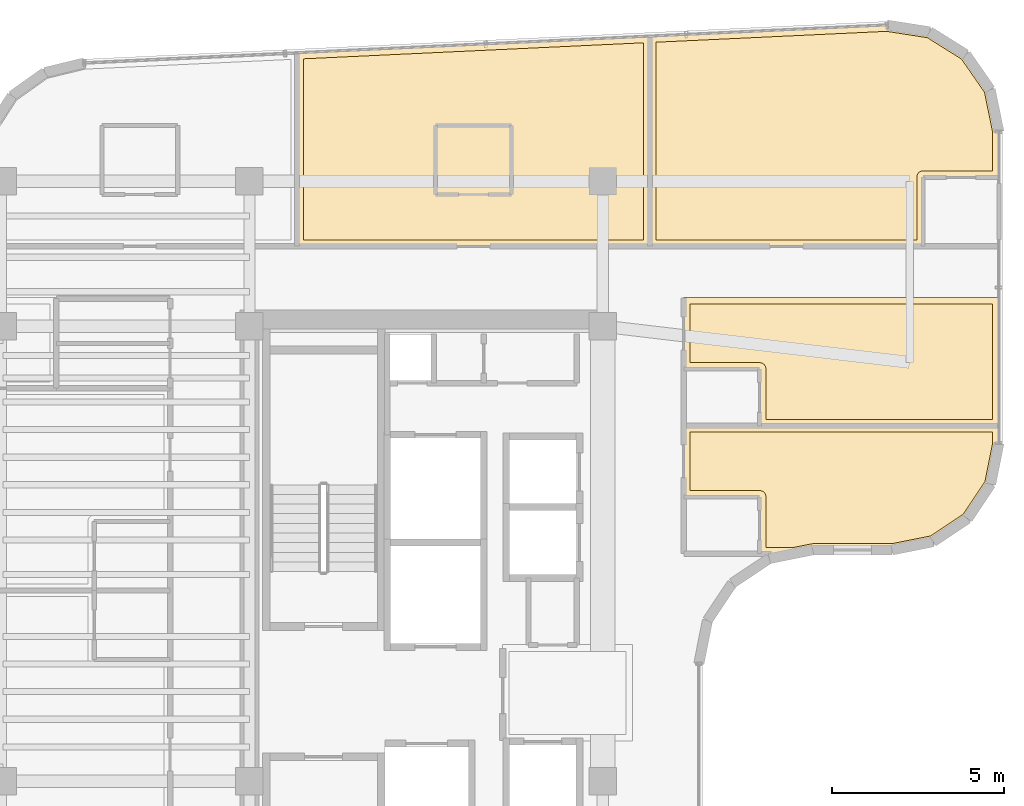
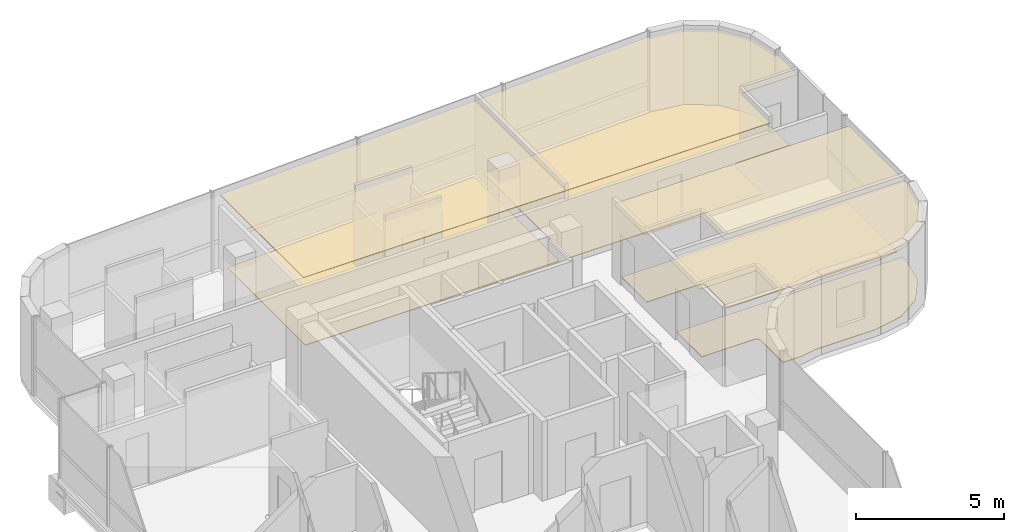
# One storey, part 20 of 20: 8 coverings.
"""IFC4 building model written with IfcOpenShell, lengths in metres."""

from ifc_helpers import new_model, si_unit, direction, frame, origin, place, context, subcontext, project, spatial, polyline, outline, extrude, material, layer, layer_set, type_object, element, save


model = new_model("IFC4")

# Units and contexts
model_context = context("Model", 3, precision=1e-05, world=origin(), true_north=direction((0.0, 1.0)))
body_context = subcontext(model_context, "Body", "Model", "MODEL_VIEW")
ifc_project = project(units=[si_unit("LENGTHUNIT", "METRE"), si_unit("AREAUNIT", "SQUARE_METRE"), si_unit("VOLUMEUNIT", "CUBIC_METRE"), si_unit("PLANEANGLEUNIT", "RADIAN"), si_unit("MASSUNIT", "GRAM", prefix="KILO")], contexts=[model_context])

# Site, building, storey
site_placement = place(None, origin())
site = spatial("IfcSite", under=ifc_project, at=site_placement, CompositionType="ELEMENT")
building_placement = place(site_placement, origin())
building = spatial("IfcBuilding", under=site, at=building_placement, Name="Valdorenza Pilgrim Sanctuary Tower", CompositionType="ELEMENT")
storey_placement = place(building_placement, frame((0.0, 0.0, 240.5)))
storey = spatial("IfcBuildingStorey", under=building, at=storey_placement, Name="L62", CompositionType="ELEMENT", Elevation=240.5)

# Coverings
ifc_material_1 = material(Name="Micro-perforated acoustic mineral ceiling tile", Category="gypsum")
ifc_layer_1 = layer(ifc_material_1, 0.02490234375, Name="Micro-perforated acoustic mineral ceiling tile")
ifc_layer_set_1 = layer_set([ifc_layer_1], Name="Micro-perforated acoustic mineral ceiling tile")
covering_type_1 = type_object("IfcCoveringType", Name="COV-CLG-ACU", PredefinedType="CEILING", material=ifc_layer_set_1)
covering_1_placement = place(storey_placement, frame((0.0, 0.0, 2.9599609375)))
element("IfcCovering", 1, at=covering_1_placement, inside=storey, type_object=covering_type_1, Name="L62 North Guest Room L62-N2 Acoustic Ceiling", PredefinedType="CEILING", context=body_context, shape_type="SweptSolid", body=[
    extrude(outline(polyline([(-21.280029296875, 18.525146484375), (-21.280029296875, 18.52587890625), (-21.27978515625, 18.52734375), (-21.279541015625, 18.52880859375), (-21.279052734375, 18.5302734375), (-21.278564453125, 18.531494140625), (-21.27783203125, 18.532958984375), (-21.277099609375, 18.5341796875), (-21.276123046875, 18.535400390625), (-21.275146484375, 18.536376953125), (-21.27392578125, 18.537109375), (-21.272705078125, 18.5380859375), (-21.271484375, 18.538818359375), (-21.27001953125, 18.539306640625), (-21.2685546875, 18.539794921875), (-21.26708984375, 18.5400390625), (-21.265625, 18.540283203125), (-11.034423828125, 19.0224609375), (-11.03369140625, 19.0224609375), (-11.032958984375, 19.0224609375), (-11.031494140625, 19.0224609375), (-11.030029296875, 19.022216796875), (-11.028564453125, 19.02197265625), (-11.02734375, 19.021484375), (-11.02587890625, 19.020751953125), (-11.024658203125, 19.02001953125), (-11.0234375, 19.01904296875), (-11.0224609375, 19.01806640625), (-11.021484375, 19.01708984375), (-11.0205078125, 19.015869140625), (-11.019775390625, 19.0146484375), (-11.01904296875, 19.01318359375), (-11.0185546875, 19.011962890625), (-11.018310546875, 19.010498046875), (-11.01806640625, 19.009033203125), (-11.01806640625, 19.007568359375), (-11.01806640625, 12.919921875), (-11.01806640625, 12.91845703125), (-11.018310546875, 12.9169921875), (-11.0185546875, 12.91552734375), (-11.01904296875, 12.914306640625), (-11.019775390625, 12.912841796875), (-11.0205078125, 12.91162109375), (-11.021484375, 12.910400390625), (-11.0224609375, 12.909423828125), (-11.0234375, 12.908447265625), (-11.024658203125, 12.907470703125), (-11.02587890625, 12.90673828125), (-11.02734375, 12.906005859375), (-11.028564453125, 12.905517578125), (-11.030029296875, 12.9052734375), (-11.031494140625, 12.905029296875), (-11.032958984375, 12.905029296875), (-21.264892578125, 12.905029296875), (-21.2666015625, 12.905029296875), (-21.267822265625, 12.9052734375), (-21.269287109375, 12.905517578125), (-21.270751953125, 12.906005859375), (-21.272216796875, 12.90673828125), (-21.273193359375, 12.907470703125), (-21.2744140625, 12.908447265625), (-21.275634765625, 12.909423828125), (-21.276611328125, 12.910400390625), (-21.277587890625, 12.91162109375), (-21.2783203125, 12.912841796875), (-21.27880859375, 12.914306640625), (-21.279296875, 12.91552734375), (-21.27978515625, 12.9169921875), (-21.27978515625, 12.91845703125), (-21.280029296875, 12.919921875), (-21.280029296875, 18.525146484375), (-21.280029296875, 18.525146484375)])), origin(), (0.0, 0.0, 1.0), 0.025146484375),
])
covering_2_placement = place(storey_placement, frame((0.0, 0.0, 2.9599609375)))
element("IfcCovering", 2, at=covering_2_placement, inside=storey, type_object=covering_type_1, Name="L62 North Guest Room L62-N3 Acoustic Ceiling", PredefinedType="CEILING", context=body_context, shape_type="SweptSolid", body=[
    extrude(outline(polyline([(-11.0458984375, 19.007568359375), (-11.0458984375, 19.00830078125), (-11.0458984375, 19.009765625), (-11.045654296875, 19.01123046875), (-11.045166015625, 19.0126953125), (-11.044677734375, 19.01416015625), (-11.0439453125, 19.015380859375), (-11.04296875, 19.0166015625), (-11.0419921875, 19.017578125), (-11.041015625, 19.018798828125), (-11.039794921875, 19.019775390625), (-11.038818359375, 19.0205078125), (-11.037353515625, 19.021240234375), (-11.035888671875, 19.021728515625), (-11.03466796875, 19.022216796875), (-11.033203125, 19.0224609375), (-11.03173828125, 19.022705078125), (-4.157470703125, 19.3466796875), (-4.156005859375, 19.3466796875), (-4.154296875, 19.346435546875), (-2.91748046875, 19.153076171875), (-2.916015625, 19.152587890625), (-2.91455078125, 19.15234375), (-2.9130859375, 19.151611328125), (-2.911865234375, 19.15087890625), (-1.860595703125, 18.492431640625), (-1.859619140625, 18.49169921875), (-1.8583984375, 18.490478515625), (-1.857421875, 18.489501953125), (-1.8564453125, 18.48828125), (-1.149169921875, 17.46923828125), (-1.148193359375, 17.468017578125), (-1.147705078125, 17.466552734375), (-1.147216796875, 17.465087890625), (-1.146728515625, 17.463623046875), (-0.895263671875, 16.237548828125), (-0.89501953125, 16.236083984375), (-0.89501953125, 16.234375), (-0.89501953125, 14.922119140625), (-0.89501953125, 14.92041015625), (-0.895263671875, 14.919189453125), (-0.8955078125, 14.91748046875), (-0.89599609375, 14.916259765625), (-0.896728515625, 14.914794921875), (-0.8974609375, 14.913818359375), (-0.8984375, 14.91259765625), (-0.8994140625, 14.911376953125), (-0.900390625, 14.910400390625), (-0.901611328125, 14.909423828125), (-0.90283203125, 14.90869140625), (-0.904296875, 14.908203125), (-0.905517578125, 14.90771484375), (-0.906982421875, 14.9072265625), (-0.908447265625, 14.906982421875), (-0.909912109375, 14.906982421875), (-3.096923828125, 14.906982421875), (-3.096923828125, 12.919921875), (-3.09716796875, 12.91845703125), (-3.097412109375, 12.9169921875), (-3.09765625, 12.91552734375), (-3.09814453125, 12.914306640625), (-3.098876953125, 12.912841796875), (-3.099609375, 12.91162109375), (-3.100341796875, 12.910400390625), (-3.101318359375, 12.909423828125), (-3.1025390625, 12.908447265625), (-3.103759765625, 12.907470703125), (-3.10498046875, 12.90673828125), (-3.106201171875, 12.906005859375), (-3.107666015625, 12.905517578125), (-3.109130859375, 12.9052734375), (-3.110595703125, 12.905029296875), (-3.112060546875, 12.905029296875), (-11.031005859375, 12.905029296875), (-11.032470703125, 12.905029296875), (-11.033935546875, 12.9052734375), (-11.035400390625, 12.905517578125), (-11.03662109375, 12.906005859375), (-11.0380859375, 12.90673828125), (-11.039306640625, 12.907470703125), (-11.04052734375, 12.908447265625), (-11.04150390625, 12.909423828125), (-11.04248046875, 12.910400390625), (-11.04345703125, 12.91162109375), (-11.044189453125, 12.912841796875), (-11.044921875, 12.914306640625), (-11.04541015625, 12.91552734375), (-11.045654296875, 12.9169921875), (-11.0458984375, 12.91845703125), (-11.0458984375, 12.919921875), (-11.0458984375, 19.007568359375), (-11.0458984375, 19.007568359375)])), origin(), (0.0, 0.0, 1.0), 0.025146484375),
])
covering_3_placement = place(storey_placement, frame((0.0, 0.0, 2.9599609375)))
element("IfcCovering", 3, at=covering_3_placement, inside=storey, type_object=covering_type_1, Name="L62 East Sanctuary Guest Room L62-E1 Acoustic Ceiling", PredefinedType="CEILING", context=body_context, shape_type="SweptSolid", body=[
    extrude(outline(polyline([(-7.863037109375, 5.636962890625), (-10.050048828125, 5.636962890625), (-10.051513671875, 5.63720703125), (-10.052978515625, 5.63720703125), (-10.054443359375, 5.6376953125), (-10.0556640625, 5.63818359375), (-10.05712890625, 5.638916015625), (-10.058349609375, 5.639404296875), (-10.0595703125, 5.640380859375), (-10.060546875, 5.641357421875), (-10.0615234375, 5.642578125), (-10.0625, 5.643798828125), (-10.063232421875, 5.64501953125), (-10.06396484375, 5.646240234375), (-10.064453125, 5.647705078125), (-10.064697265625, 5.649169921875), (-10.06494140625, 5.650390625), (-10.06494140625, 5.652099609375), (-10.06494140625, 7.7099609375), (-10.06494140625, 7.71142578125), (-10.064697265625, 7.712890625), (-10.064453125, 7.71435546875), (-10.06396484375, 7.7158203125), (-10.063232421875, 7.717041015625), (-10.0625, 7.71826171875), (-10.0615234375, 7.719482421875), (-10.060546875, 7.720703125), (-10.0595703125, 7.7216796875), (-10.058349609375, 7.722412109375), (-10.05712890625, 7.72314453125), (-10.0556640625, 7.723876953125), (-10.054443359375, 7.724365234375), (-10.052978515625, 7.724609375), (-10.051513671875, 7.724853515625), (-10.050048828125, 7.72509765625), (-0.909912109375, 7.72509765625), (-0.908447265625, 7.724853515625), (-0.906982421875, 7.724609375), (-0.905517578125, 7.724365234375), (-0.904296875, 7.723876953125), (-0.90283203125, 7.72314453125), (-0.901611328125, 7.722412109375), (-0.900390625, 7.7216796875), (-0.8994140625, 7.720703125), (-0.8984375, 7.719482421875), (-0.8974609375, 7.71826171875), (-0.896728515625, 7.717041015625), (-0.89599609375, 7.7158203125), (-0.8955078125, 7.71435546875), (-0.895263671875, 7.712890625), (-0.89501953125, 7.71142578125), (-0.89501953125, 7.7099609375), (-0.89501953125, 7.210693359375), (-0.89501953125, 7.20947265625), (-0.895263671875, 7.2080078125), (-1.132568359375, 6.015380859375), (-1.1328125, 6.013916015625), (-1.13330078125, 6.0126953125), (-1.134033203125, 6.01123046875), (-1.134765625, 6.010009765625), (-1.80419921875, 5.00830078125), (-1.804931640625, 5.007080078125), (-1.805908203125, 5.006103515625), (-1.80712890625, 5.0048828125), (-1.808349609375, 5.004150390625), (-2.81005859375, 4.334716796875), (-2.811279296875, 4.333984375), (-2.8125, 4.33349609375), (-2.81396484375, 4.3330078125), (-2.8154296875, 4.33251953125), (-4.0078125, 4.09521484375), (-4.009521484375, 4.09521484375), (-4.0107421875, 4.094970703125), (-6.299560546875, 4.094970703125), (-6.309326171875, 4.094482421875), (-6.31884765625, 4.093017578125), (-6.86083984375, 3.9853515625), (-6.8623046875, 3.985107421875), (-6.86376953125, 3.985107421875), (-7.847900390625, 3.985107421875), (-7.849609375, 3.985107421875), (-7.850830078125, 3.9853515625), (-7.852294921875, 3.985595703125), (-7.853759765625, 3.986083984375), (-7.85498046875, 3.98681640625), (-7.856201171875, 3.987548828125), (-7.857421875, 3.98828125), (-7.858642578125, 3.989501953125), (-7.859619140625, 3.990478515625), (-7.860595703125, 3.99169921875), (-7.861083984375, 3.992919921875), (-7.86181640625, 3.994384765625), (-7.8623046875, 3.99560546875), (-7.86279296875, 3.9970703125), (-7.86279296875, 3.99853515625), (-7.863037109375, 4.0), (-7.863037109375, 5.636962890625)])), origin(), (0.0, 0.0, 1.0), 0.025146484375),
])
covering_4_placement = place(storey_placement, frame((0.0, 0.0, 2.9599609375)))
element("IfcCovering", 4, at=covering_4_placement, inside=storey, type_object=covering_type_1, Name="L62 East Sanctuary Guest Room L62-E2 Acoustic Ceiling", PredefinedType="CEILING", context=body_context, shape_type="SweptSolid", body=[
    extrude(outline(polyline([(-7.863037109375, 9.346923828125), (-10.050048828125, 9.346923828125), (-10.051513671875, 9.34716796875), (-10.052978515625, 9.347412109375), (-10.054443359375, 9.34765625), (-10.0556640625, 9.34814453125), (-10.05712890625, 9.348876953125), (-10.058349609375, 9.349609375), (-10.0595703125, 9.350341796875), (-10.060546875, 9.351318359375), (-10.0615234375, 9.3525390625), (-10.0625, 9.353759765625), (-10.063232421875, 9.35498046875), (-10.06396484375, 9.356201171875), (-10.064453125, 9.357666015625), (-10.064697265625, 9.359130859375), (-10.06494140625, 9.360595703125), (-10.06494140625, 9.362060546875), (-10.06494140625, 11.419921875), (-10.06494140625, 11.42138671875), (-10.064697265625, 11.4228515625), (-10.064453125, 11.42431640625), (-10.06396484375, 11.42578125), (-10.063232421875, 11.427001953125), (-10.0625, 11.42822265625), (-10.0615234375, 11.429443359375), (-10.060546875, 11.4306640625), (-10.0595703125, 11.431640625), (-10.058349609375, 11.4326171875), (-10.05712890625, 11.43310546875), (-10.0556640625, 11.433837890625), (-10.054443359375, 11.434326171875), (-10.052978515625, 11.434814453125), (-10.051513671875, 11.434814453125), (-10.050048828125, 11.43505859375), (-0.909912109375, 11.43505859375), (-0.908447265625, 11.434814453125), (-0.906982421875, 11.434814453125), (-0.905517578125, 11.434326171875), (-0.904296875, 11.433837890625), (-0.90283203125, 11.43310546875), (-0.901611328125, 11.4326171875), (-0.900390625, 11.431640625), (-0.8994140625, 11.4306640625), (-0.8984375, 11.429443359375), (-0.8974609375, 11.42822265625), (-0.896728515625, 11.427001953125), (-0.89599609375, 11.42578125), (-0.8955078125, 11.42431640625), (-0.895263671875, 11.4228515625), (-0.89501953125, 11.42138671875), (-0.89501953125, 11.419921875), (-0.89501953125, 7.7119140625), (-0.89501953125, 7.71044921875), (-0.895263671875, 7.708984375), (-0.8955078125, 7.70751953125), (-0.89599609375, 7.706298828125), (-0.896728515625, 7.704833984375), (-0.8974609375, 7.70361328125), (-0.8984375, 7.702392578125), (-0.8994140625, 7.701416015625), (-0.900390625, 7.700439453125), (-0.901611328125, 7.699462890625), (-0.90283203125, 7.69873046875), (-0.904296875, 7.697998046875), (-0.905517578125, 7.697509765625), (-0.906982421875, 7.697265625), (-0.908447265625, 7.697021484375), (-0.909912109375, 7.697021484375), (-7.847900390625, 7.697021484375), (-7.849609375, 7.697021484375), (-7.850830078125, 7.697265625), (-7.852294921875, 7.697509765625), (-7.853759765625, 7.697998046875), (-7.85498046875, 7.69873046875), (-7.856201171875, 7.699462890625), (-7.857421875, 7.700439453125), (-7.858642578125, 7.701416015625), (-7.859619140625, 7.702392578125), (-7.860595703125, 7.70361328125), (-7.861083984375, 7.704833984375), (-7.86181640625, 7.706298828125), (-7.8623046875, 7.70751953125), (-7.86279296875, 7.708984375), (-7.86279296875, 7.71044921875), (-7.863037109375, 7.7119140625), (-7.863037109375, 9.346923828125)])), origin(), (0.0, 0.0, 1.0), 0.025146484375),
])
ifc_material_2 = material(Name="Engineered European oak timber flooring", Category="wood")
ifc_layer_2 = layer(ifc_material_2, 0.02197265625, Name="Engineered European oak timber flooring")
ifc_layer_set_2 = layer_set([ifc_layer_2], Name="Engineered European oak timber flooring")
covering_type_2 = type_object("IfcCoveringType", Name="COV-FLR-OAK", PredefinedType="FLOORING", material=ifc_layer_set_2)
covering_5_placement = place(storey_placement, origin())
element("IfcCovering", 5, at=covering_5_placement, inside=storey, type_object=covering_type_2, Name="L62 North Guest Room L62-N2 Flooring", PredefinedType="FLOORING", context=body_context, shape_type="SweptSolid", body=[
    extrude(outline(polyline([(-11.212890625, 18.81884765625), (-11.212890625, 13.10009765625), (-21.0849609375, 13.10009765625), (-21.0849609375, 18.353515625), (-11.212890625, 18.81884765625)])), origin(), (0.0, 0.0, 1.0), 0.02490234375),
])
covering_6_placement = place(storey_placement, origin())
element("IfcCovering", 6, at=covering_6_placement, inside=storey, type_object=covering_type_2, Name="L62 North Guest Room L62-N3 Flooring", PredefinedType="FLOORING", context=body_context, shape_type="SweptSolid", body=[
    extrude(outline(polyline([(-4.16650390625, 19.15087890625), (-2.984130859375, 18.966064453125), (-1.99560546875, 18.3466796875), (-1.330322265625, 17.388427734375), (-1.090087890625, 16.21630859375), (-1.090087890625, 15.10205078125), (-3.110107421875, 15.10205078125), (-3.118896484375, 15.101806640625), (-3.118896484375, 15.101806640625), (-3.13671875, 15.10009765625), (-3.13671875, 15.10009765625), (-3.154052734375, 15.0966796875), (-3.154296875, 15.096435546875), (-3.171142578125, 15.09130859375), (-3.17138671875, 15.09130859375), (-3.187744140625, 15.084716796875), (-3.18798828125, 15.08447265625), (-3.20361328125, 15.076171875), (-3.20361328125, 15.076171875), (-3.21826171875, 15.066162109375), (-3.218505859375, 15.066162109375), (-3.232177734375, 15.054931640625), (-3.232421875, 15.0546875), (-3.244873046875, 15.042236328125), (-3.244873046875, 15.0419921875), (-3.256103515625, 15.028564453125), (-3.256103515625, 15.0283203125), (-3.26611328125, 15.013671875), (-3.26611328125, 15.013427734375), (-3.2744140625, 14.997802734375), (-3.274658203125, 14.997802734375), (-3.28125, 14.9814453125), (-3.281494140625, 14.981201171875), (-3.28662109375, 14.96435546875), (-3.28662109375, 14.964111328125), (-3.2900390625, 14.94677734375), (-3.2900390625, 14.946533203125), (-3.291748046875, 14.928955078125), (-3.291748046875, 14.9287109375), (-3.2919921875, 14.919921875), (-3.2919921875, 13.10009765625), (-10.85107421875, 13.10009765625), (-10.85107421875, 18.835693359375), (-4.16650390625, 19.15087890625)])), origin(), (0.0, 0.0, 1.0), 0.02490234375),
])
covering_7_placement = place(storey_placement, origin())
element("IfcCovering", 7, at=covering_7_placement, inside=storey, type_object=covering_type_2, Name="L62 East Sanctuary Guest Room L62-E1 Flooring", PredefinedType="FLOORING", context=body_context, shape_type="SweptSolid", body=[
    extrude(outline(polyline([(-1.090087890625, 7.228515625), (-1.31689453125, 6.088623046875), (-1.9462890625, 5.146484375), (-2.888671875, 4.516845703125), (-4.028564453125, 4.2900390625), (-6.300048828125, 4.2900390625), (-6.308837890625, 4.289794921875), (-6.319580078125, 4.289306640625), (-6.337158203125, 4.28759765625), (-6.347900390625, 4.285888671875), (-6.356689453125, 4.284423828125), (-6.881591796875, 4.179931640625), (-7.66796875, 4.179931640625), (-7.66796875, 5.64990234375), (-7.668212890625, 5.65869140625), (-7.668212890625, 5.658935546875), (-7.669921875, 5.676513671875), (-7.669921875, 5.6767578125), (-7.67333984375, 5.694091796875), (-7.673583984375, 5.6943359375), (-7.6787109375, 5.711181640625), (-7.6787109375, 5.71142578125), (-7.685302734375, 5.727783203125), (-7.685546875, 5.727783203125), (-7.69384765625, 5.743408203125), (-7.69384765625, 5.74365234375), (-7.703857421875, 5.75830078125), (-7.703857421875, 5.758544921875), (-7.715087890625, 5.772216796875), (-7.715087890625, 5.772216796875), (-7.727783203125, 5.784912109375), (-7.727783203125, 5.784912109375), (-7.741455078125, 5.796142578125), (-7.74169921875, 5.796142578125), (-7.75634765625, 5.80615234375), (-7.756591796875, 5.80615234375), (-7.772216796875, 5.814453125), (-7.772216796875, 5.814697265625), (-7.78857421875, 5.8212890625), (-7.788818359375, 5.8212890625), (-7.8056640625, 5.826416015625), (-7.805908203125, 5.82666015625), (-7.8232421875, 5.830078125), (-7.823486328125, 5.830078125), (-7.841064453125, 5.831787109375), (-7.84130859375, 5.831787109375), (-7.85009765625, 5.83203125), (-9.8701171875, 5.83203125), (-9.8701171875, 7.530029296875), (-1.090087890625, 7.530029296875), (-1.090087890625, 7.228515625)])), origin(), (0.0, 0.0, 1.0), 0.02490234375),
])
covering_8_placement = place(storey_placement, origin())
element("IfcCovering", 8, at=covering_8_placement, inside=storey, type_object=covering_type_2, Name="L62 East Sanctuary Guest Room L62-E2 Flooring", PredefinedType="FLOORING", context=body_context, shape_type="SweptSolid", body=[
    extrude(outline(polyline([(-1.090087890625, 7.89208984375), (-7.66796875, 7.89208984375), (-7.66796875, 9.360107421875), (-7.668212890625, 9.368896484375), (-7.668212890625, 9.368896484375), (-7.669921875, 9.38671875), (-7.669921875, 9.38671875), (-7.67333984375, 9.404052734375), (-7.673583984375, 9.404296875), (-7.6787109375, 9.421142578125), (-7.6787109375, 9.42138671875), (-7.685302734375, 9.437744140625), (-7.685546875, 9.43798828125), (-7.69384765625, 9.45361328125), (-7.69384765625, 9.45361328125), (-7.703857421875, 9.46826171875), (-7.703857421875, 9.468505859375), (-7.715087890625, 9.482177734375), (-7.715087890625, 9.482421875), (-7.727783203125, 9.494873046875), (-7.727783203125, 9.494873046875), (-7.741455078125, 9.506103515625), (-7.74169921875, 9.506103515625), (-7.75634765625, 9.51611328125), (-7.756591796875, 9.51611328125), (-7.772216796875, 9.5244140625), (-7.772216796875, 9.524658203125), (-7.78857421875, 9.53125), (-7.788818359375, 9.531494140625), (-7.8056640625, 9.53662109375), (-7.805908203125, 9.53662109375), (-7.8232421875, 9.5400390625), (-7.823486328125, 9.5400390625), (-7.841064453125, 9.541748046875), (-7.84130859375, 9.541748046875), (-7.85009765625, 9.5419921875), (-9.8701171875, 9.5419921875), (-9.8701171875, 11.239990234375), (-1.090087890625, 11.239990234375), (-1.090087890625, 7.89208984375)])), origin(), (0.0, 0.0, 1.0), 0.02490234375),
])

save(model, "model.ifc")
